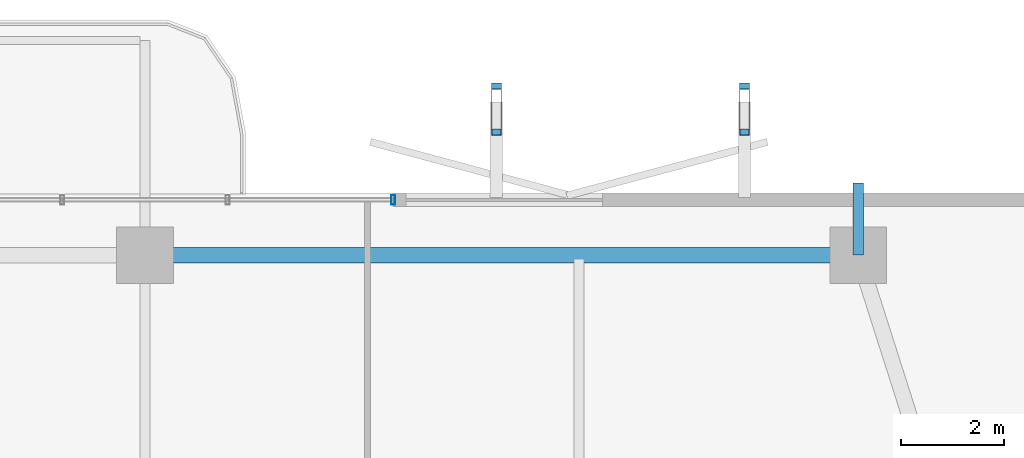
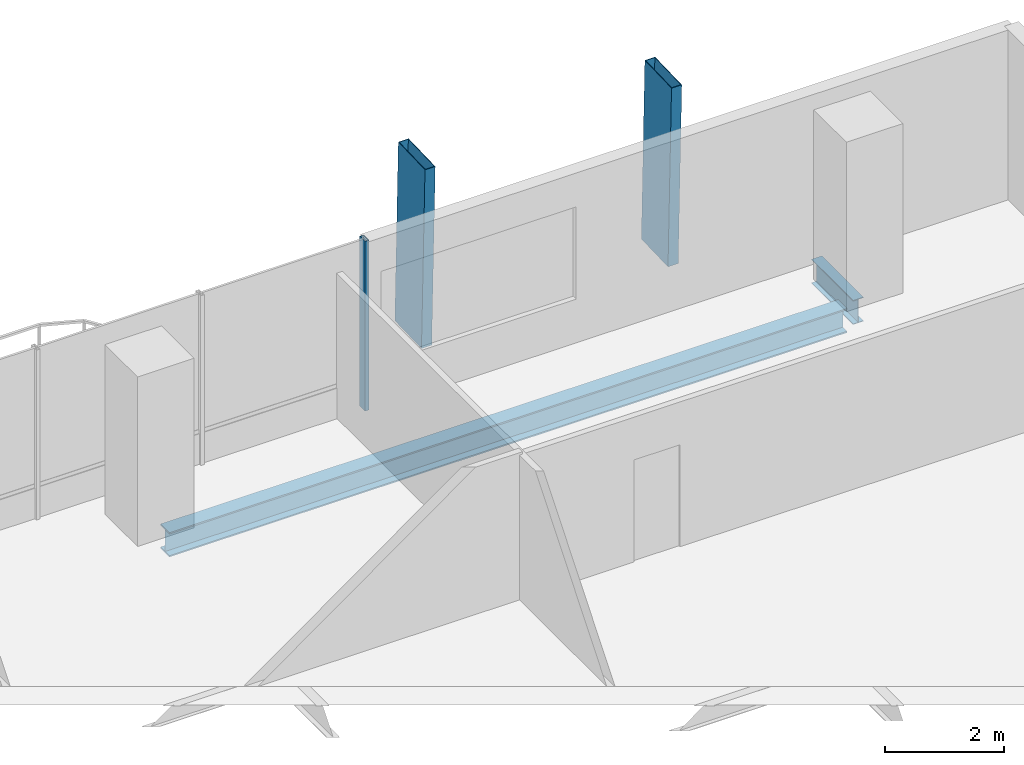
# One storey, part 16 of 24: 3 members, 2 beams, 1 element without a shape of its own.
"""IFC4 building model written with IfcOpenShell, lengths in metres."""

from ifc_helpers import new_model, si_unit, direction, frame, origin, origin_2d, place, context, subcontext, project, spatial, hollow_rectangle, i_section, extrude, material, layer, layer_set, material_profile, profile_set, type_object, element, aggregate, save


model = new_model("IFC4")

# Units and contexts
model_context = context("Model", 3, precision=1e-05, world=origin(), true_north=direction((0.0, 1.0)))
body_context = subcontext(model_context, "Body", "Model", "MODEL_VIEW")
ifc_project = project(units=[si_unit("LENGTHUNIT", "METRE"), si_unit("AREAUNIT", "SQUARE_METRE"), si_unit("VOLUMEUNIT", "CUBIC_METRE"), si_unit("PLANEANGLEUNIT", "RADIAN"), si_unit("MASSUNIT", "GRAM", prefix="KILO")], contexts=[model_context])

# Site, building, storey
site_placement = place(None, origin())
site = spatial("IfcSite", under=ifc_project, at=site_placement, CompositionType="ELEMENT")
building_placement = place(site_placement, origin())
building = spatial("IfcBuilding", under=site, at=building_placement, Name="Belovzor Exchange Tower", CompositionType="ELEMENT")
storey_placement = place(building_placement, frame((0.0, 0.0, 145.800048828125)))
storey = spatial("IfcBuildingStorey", under=building, at=storey_placement, Name="L35", CompositionType="ELEMENT", Elevation=145.800048828125)

# Beam
ifc_material_1 = material(Name="Steel S355", Category="steel")
ifc_material_profile_1 = material_profile(ifc_material_1, i_section(OverallWidth=0.199951171875, OverallDepth=0.5, WebThickness=0.01025390625, FlangeThickness=0.01611328125, at=origin_2d()))
ifc_profile_set_1 = profile_set([ifc_material_profile_1], Name="Steel S355")
beam_type_1 = type_object("IfcBeamType", Name="Planted Balcony Cantilever Beam IPE 500", PredefinedType="BEAM", material=ifc_profile_set_1)
beam_1_placement = place(storey_placement, frame((42.60009765625, 51.89990234375, -0.505126953125), z_axis=(0.0, 1.0, 0.0), x_axis=(-1.0, 0.0, 0.0)))
element("IfcBeam", 1, at=beam_1_placement, inside=storey, type_object=beam_type_1, Name="BC-500 Planted Balcony Cantilever Beam IPE 500", PredefinedType="BEAM", context=body_context, shape_type="SweptSolid", body=[
    extrude(i_section(OverallWidth=0.199951171875, OverallDepth=0.5, WebThickness=0.01025390625, FlangeThickness=0.01611328125, at=origin_2d()), origin(), (0.0, 0.0, 1.0), 1.400146484375),
])

# Members
ifc_material_2 = material(Name="Extruded Architectural Terracotta on Steel S355 Carrier", Category="masonry")
ifc_material_profile_2 = material_profile(ifc_material_2, hollow_rectangle(XDim=0.199951171875, YDim=0.89990234375, WallThickness=0.011962890625, at=origin_2d()))
ifc_profile_set_2 = profile_set([ifc_material_profile_2], Name="Extruded Architectural Terracotta on Steel S355 Carrier")
member_type_1 = type_object("IfcMemberType", Name="Sweeping Terracotta Baguette Fin Assembly 1250", PredefinedType="USERDEFINED", material=ifc_profile_set_2)
for number, where, z_axis, x_axis, name in (
    (2, (35.60009765625, 54.782958984375, -0.255126953125), (0.0, -0.031689805028, 0.999497752002), (1.0, 0.0, 0.0), "FIN-TC125 Terracotta Facade Fin L35 N3"),
    (3, (40.39990234375, 54.782958984375, -0.255126953125), (0.0, -0.031689805028, 0.999497752002), (1.0, 0.0, 0.0), "FIN-TC125 Terracotta Facade Fin L35 N4"),
):
    element("IfcMember", number, at=place(storey_placement, frame(where, z_axis=z_axis, x_axis=x_axis)), inside=storey, type_object=member_type_1, Name=name, ObjectType="FIN", PredefinedType="USERDEFINED", context=body_context, shape_type="SweptSolid", body=[
        extrude(hollow_rectangle(XDim=0.199951171875, YDim=0.89990234375, WallThickness=0.011962890625, at=origin_2d()), origin(), (0.0, 0.0, 1.0), 3.751953125),
    ])

# Curtain wall, member
ifc_material_3 = material(Name="Anodised Aluminium Framing", Category="aluminium")
ifc_layer = layer(ifc_material_3, 0.179931640625)
ifc_layer_set = layer_set([ifc_layer], Name="Anodised Aluminium Framing")
curtain_wall_type = type_object("IfcCurtainWallType", Name="Recessed Loggia Low-Iron Triple-Glazed Curtain Wall", PredefinedType="NOTDEFINED", material=ifc_layer_set)
curtain_wall_placement = place(storey_placement, origin())
curtain_wall = element("IfcCurtainWall", 4, at=curtain_wall_placement, inside=storey, type_object=curtain_wall_type, Name="CW3 Recessed Loggia Low-Iron Triple-Glazed Curtain Wall L35", PredefinedType="NOTDEFINED")
ifc_material_4 = material(Name="Steel S355", Category="steel")
ifc_material_profile_3 = material_profile(ifc_material_4, hollow_rectangle(XDim=0.074951171875, YDim=0.179931640625, WallThickness=0.0048828125, at=origin_2d()))
ifc_profile_set_3 = profile_set([ifc_material_profile_3], Name="Steel S355")
member_type_2 = type_object("IfcMemberType", Name="Thermally Broken Curtain Wall Mullion 180x75", PredefinedType="MULLION", material=ifc_profile_set_3)
member_placement = place(storey_placement, frame((33.60009765625, 52.969970703125, 0.0), z_axis=(0.0, 0.0, 1.0), x_axis=(1.0, 0.0, 0.0)))
member = element("IfcMember", 5, at=member_placement, type_object=member_type_2, Name="CW-M180 Curtain Wall Mullion 4", PredefinedType="MULLION", context=body_context, shape_type="SweptSolid", body=[
    extrude(hollow_rectangle(XDim=0.074951171875, YDim=0.179931640625, WallThickness=0.0048828125, at=origin_2d()), origin(), (0.0, 0.0, 1.0), 3.494873046875),
])
aggregate(curtain_wall, [member])

# Beam
ifc_material_5 = material(Name="Steel S355", Category="steel")
ifc_material_profile_4 = material_profile(ifc_material_5, i_section(OverallWidth=0.300048828125, OverallDepth=0.5, WebThickness=0.014404296875, FlangeThickness=0.028076171875, at=origin_2d()))
ifc_profile_set_4 = profile_set([ifc_material_profile_4], Name="Steel S355")
beam_type_2 = type_object("IfcBeamType", Name="Zone 3 Waist Primary Girder HEB 500", PredefinedType="BEAM", material=ifc_profile_set_4)
beam_2_placement = place(storey_placement, frame((42.297119140625, 51.89990234375, -0.505126953125), z_axis=(-1.0, 0.0, 0.0), x_axis=(0.0, -1.0, 0.0)))
element("IfcBeam", 6, at=beam_2_placement, inside=storey, type_object=beam_type_2, Name="FG-Z3 Zone 3 Waist Primary Girder HEB 500", PredefinedType="BEAM", context=body_context, shape_type="SweptSolid", body=[
    extrude(i_section(OverallWidth=0.300048828125, OverallDepth=0.5, WebThickness=0.014404296875, FlangeThickness=0.028076171875, at=origin_2d()), origin(), (0.0, 0.0, 1.0), 13.195068359375),
])

save(model, "model.ifc")
